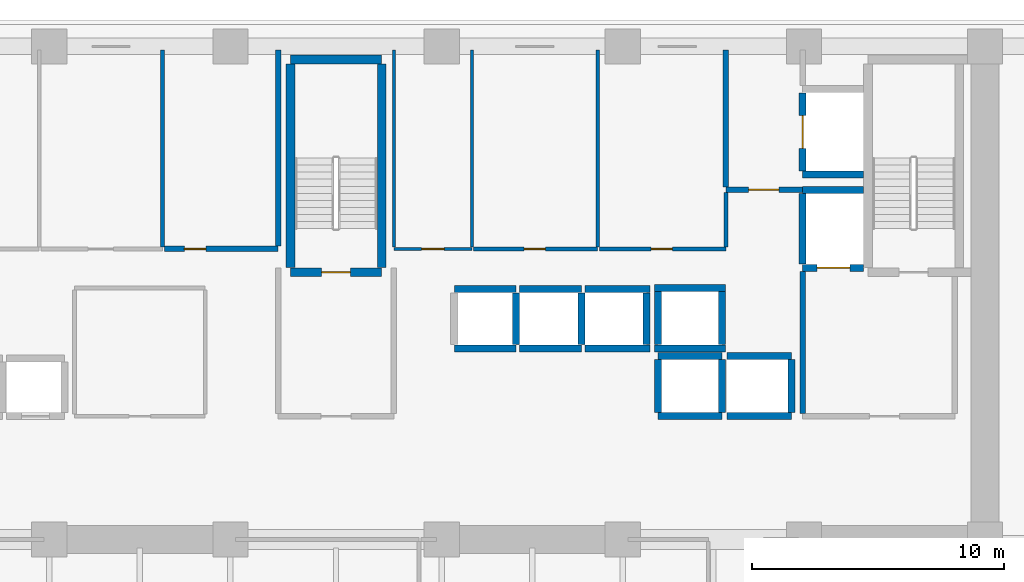
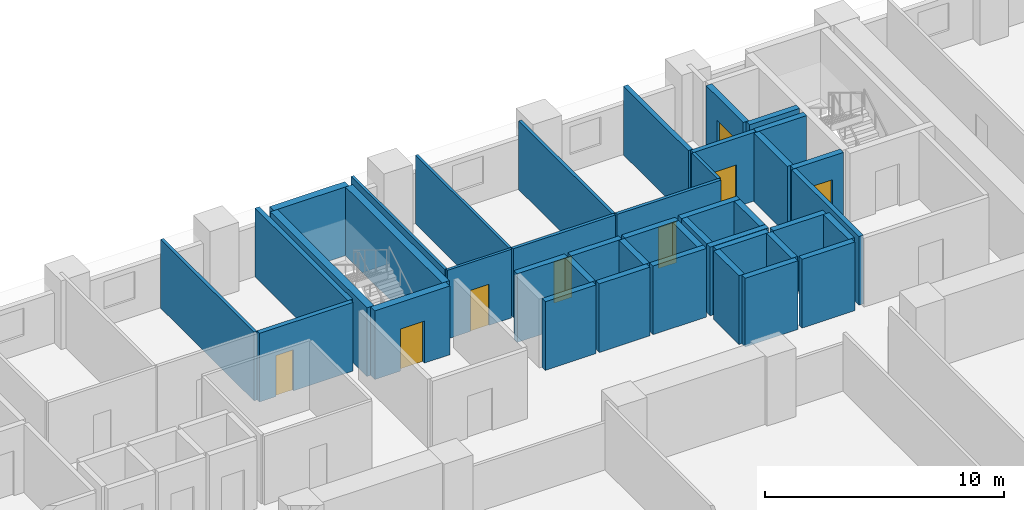
# One storey, part 8 of 15: 42 walls, 8 doors, 8 openings.
"""IFC4 building model written with IfcOpenShell, lengths in metres."""

import ifcopenshell
import ifcopenshell.guid

model = None  # the IFC model being written
_history = None  # IfcOwnerHistory: only IFC2X3 demands one
_inside = {}  # id of a spatial element -> (the spatial element, [elements in it])
_under = {}  # id of a project, library or spatial element -> (it, [spatial elements below it])
_declared = {}  # id of a project -> (the project, [libraries it declares])
_typed = {}  # id of a type object -> (the type object, [elements of that type])
_made_of = {}  # id of a material, layer set ... -> (it, [elements and type objects made of it])


def new_model(schema):
    """Start an empty IFC model of exactly this schema.

    Asked for "IFC4X3", IfcOpenShell would pick the latest addendum, in which some entities
    have other attributes; the version numbers below select the first issue.
    IFC2X3 requires an IfcOwnerHistory on every rooted entity: one is made here for all.
    """
    global model, _history
    if schema == "IFC4X3":
        model = ifcopenshell.file(schema_version=(4, 3, 0, 0))
    else:
        model = ifcopenshell.file(schema=schema)
    _inside.clear()
    _under.clear()
    _declared.clear()
    _typed.clear()
    _made_of.clear()
    _history = None
    if model.schema == "IFC2X3":
        org = make("IfcOrganization", Name="unknown")
        user = make(
            "IfcPersonAndOrganization",
            ThePerson=make("IfcPerson", FamilyName="unknown"),
            TheOrganization=org,
        )
        app = make(
            "IfcApplication",
            ApplicationDeveloper=org,
            Version="unknown",
            ApplicationFullName="unknown",
            ApplicationIdentifier="unknown",
        )
        _history = make(
            "IfcOwnerHistory",
            OwningUser=user,
            OwningApplication=app,
            ChangeAction="ADDED",
            CreationDate=0,
        )
    return model


def make(cls, **values):
    """One entity of the class cls with the attributes given. An attribute that is None is left unset."""
    return model.create_entity(
        cls, **{name: value for name, value in values.items() if value is not None}
    )


def rooted(cls, **values):
    """An entity with a GlobalId (a new one), such as an element, a storey or a relation."""
    return make(cls, GlobalId=ifcopenshell.guid.new(), OwnerHistory=_history, **values)


def si_unit(unit_type, name, prefix=None):
    """IfcSIUnit, for example si_unit("LENGTHUNIT", "METRE", prefix="MILLI")."""
    return make("IfcSIUnit", UnitType=unit_type, Prefix=prefix, Name=name)


def assignment(units):
    """IfcUnitAssignment: the units of a project."""
    return None if units is None else make("IfcUnitAssignment", Units=units)


def point(xyz):
    """IfcCartesianPoint."""
    return None if xyz is None else make("IfcCartesianPoint", Coordinates=xyz)


def direction(xyz):
    """IfcDirection."""
    return None if xyz is None else make("IfcDirection", DirectionRatios=xyz)


def frame(location, z_axis=None, x_axis=None):
    """IfcAxis2Placement3D, a coordinate frame: its origin and axes. An axis left out is left unset."""
    return make(
        "IfcAxis2Placement3D",
        Location=point(location),
        Axis=direction(z_axis),
        RefDirection=direction(x_axis),
    )


def frame_2d(location, x_axis=None):
    """IfcAxis2Placement2D, a coordinate frame in the plane: its origin and x axis."""
    return make(
        "IfcAxis2Placement2D", Location=point(location), RefDirection=direction(x_axis)
    )


def origin():
    """The frame at (0, 0, 0) with its axes left unset."""
    return frame((0.0, 0.0, 0.0))


def place(relative_to, where):
    """IfcLocalPlacement: puts the frame where relative to a parent placement (None: the world)."""
    return make(
        "IfcLocalPlacement", PlacementRelTo=relative_to, RelativePlacement=where
    )


def context(
    kind, dimensions, precision=None, world=None, true_north=None, identifier=None
):
    """IfcGeometricRepresentationContext, for example the 3D "Model" context."""
    return make(
        "IfcGeometricRepresentationContext",
        ContextIdentifier=identifier,
        ContextType=kind,
        CoordinateSpaceDimension=dimensions,
        Precision=precision,
        WorldCoordinateSystem=world,
        TrueNorth=true_north,
    )


def subcontext(parent, identifier, kind, view, scale=None):
    """IfcGeometricRepresentationSubContext, for example "Body" below "Model"."""
    return make(
        "IfcGeometricRepresentationSubContext",
        ContextIdentifier=identifier,
        ContextType=kind,
        ParentContext=parent,
        TargetScale=scale,
        TargetView=view,
    )


def project(units=None, contexts=None):
    """IfcProject with its units and contexts."""
    return rooted(
        "IfcProject",
        Name="project",
        RepresentationContexts=contexts,
        UnitsInContext=assignment(units),
    )


def spatial(cls, under=None, at=None, **own):
    """A site, building, storey or space (cls), placed at a placement, below another one or the project."""
    s = rooted(cls, ObjectPlacement=at, **own)
    if under is not None:
        _under.setdefault(under.id(), (under, []))[1].append(s)
    return s


def profile(cls, at=None, kind="AREA", **sizes):
    """A parametric profile (cls). Its sizes go by their IFC names, for example OverallWidth=200.0."""
    return make(cls, ProfileType=kind, Position=at, **sizes)


def rectangle(**sizes):
    """IfcRectangleProfileDef."""
    return profile("IfcRectangleProfileDef", **sizes)


def extrude(swept, where, along, depth):
    """IfcExtrudedAreaSolid: the profile swept, set in the frame where, extruded along a direction by depth."""
    return make(
        "IfcExtrudedAreaSolid",
        SweptArea=swept,
        Position=where,
        ExtrudedDirection=direction(along),
        Depth=depth,
    )


def shape(context_of_items, identifier, shape_type, items):
    """IfcShapeRepresentation: the items that make up one representation, for example the "Body"."""
    return make(
        "IfcShapeRepresentation",
        ContextOfItems=context_of_items,
        RepresentationIdentifier=identifier,
        RepresentationType=shape_type,
        Items=items,
    )


def material(Name=None, Category=None):
    """IfcMaterial."""
    return make("IfcMaterial", Name=Name, Category=Category)


def layer(
    of_material, thickness, ventilated=None, Name=None, Category=None, Priority=None
):
    """IfcMaterialLayer: one layer of a wall or slab, of a material (None: an air gap)."""
    return make(
        "IfcMaterialLayer",
        Material=of_material,
        LayerThickness=thickness,
        IsVentilated=ventilated,
        Name=Name,
        Category=Category,
        Priority=Priority,
    )


def layer_set(layers, Name=None):
    """IfcMaterialLayerSet."""
    return make("IfcMaterialLayerSet", MaterialLayers=layers, LayerSetName=Name)


def made_of(thing, what):
    """Note that an element or type object is made of a material, layer set ...; save() writes the relation."""
    if what is not None:
        _made_of.setdefault(what.id(), (what, []))[1].append(thing)
    return thing


def type_object(cls, material=None, **own):
    """A type object (cls), such as IfcWallType, which elements share."""
    return made_of(rooted(cls, **own), material)


def element(
    cls,
    number,
    at=None,
    inside=None,
    cuts=None,
    type_object=None,
    material=None,
    context=None,
    identifier="Body",
    shape_type=None,
    held_by="IfcProductDefinitionShape",
    body=None,
    shapes=None,
    **own,
):
    """One element of the class cls, such as IfcWall. Its Tag is "e" and its number.

    at: its placement. inside: the storey or other place that contains it. cuts: it is an
    opening in that element (IfcRelVoidsElement). A single representation is given by context,
    identifier, shape_type and body (its items); several are given by shapes. held_by: the class
    of the entity that holds the representations. save() writes the other relations.
    """
    e = rooted(cls, Tag="e%d" % number, ObjectPlacement=at, **own)
    if body is not None:
        shapes = [shape(context, identifier, shape_type, body)]
    if shapes is not None:
        e.Representation = make(held_by, Representations=shapes)
    if inside is not None:
        _inside.setdefault(inside.id(), (inside, []))[1].append(e)
    if cuts is not None:
        rooted(
            "IfcRelVoidsElement", RelatingBuildingElement=cuts, RelatedOpeningElement=e
        )
    if type_object is not None:
        _typed.setdefault(type_object.id(), (type_object, []))[1].append(e)
    return made_of(e, material)


def fill(opening, filler):
    """IfcRelFillsElement: the door or window that sits in an opening."""
    return rooted(
        "IfcRelFillsElement",
        RelatingOpeningElement=opening,
        RelatedBuildingElement=filler,
    )


def aggregate(whole, parts):
    """IfcRelAggregates: a whole, such as a stair, and the parts it consists of."""
    return rooted("IfcRelAggregates", RelatingObject=whole, RelatedObjects=parts)


def save(model, path):
    """Write the relations noted so far, then the file.

    IfcRelAggregates (storeys below a building ...), IfcRelContainedInSpatialStructure (elements
    in a storey), IfcRelDefinesByType, IfcRelAssociatesMaterial and IfcRelDeclares: one each for
    every whole, place, type object, material and project.
    """
    for whole, parts in _under.values():
        aggregate(whole, parts)
    for where, things in _inside.values():
        rooted(
            "IfcRelContainedInSpatialStructure",
            RelatedElements=things,
            RelatingStructure=where,
        )
    for kind, things in _typed.values():
        rooted("IfcRelDefinesByType", RelatedObjects=things, RelatingType=kind)
    for what, things in _made_of.values():
        rooted("IfcRelAssociatesMaterial", RelatedObjects=things, RelatingMaterial=what)
    for by, libraries in _declared.values():
        rooted("IfcRelDeclares", RelatingContext=by, RelatedDefinitions=libraries)
    model.write(path)


model = new_model("IFC4")

# Units and contexts
model_context = context("Model", 3, precision=1e-05, world=origin(), true_north=direction((0.0, 1.0)))
body_context = subcontext(model_context, "Body", "Model", "MODEL_VIEW")
ifc_project = project(units=[si_unit("LENGTHUNIT", "METRE"), si_unit("AREAUNIT", "SQUARE_METRE"), si_unit("VOLUMEUNIT", "CUBIC_METRE"), si_unit("PLANEANGLEUNIT", "RADIAN"), si_unit("MASSUNIT", "GRAM", prefix="KILO")], contexts=[model_context])

# Site, building, storey
site_placement = place(None, origin())
site = spatial("IfcSite", under=ifc_project, at=site_placement, CompositionType="ELEMENT")
building_placement = place(site_placement, origin())
building = spatial("IfcBuilding", under=site, at=building_placement, Name="Kaelvorn Grand Hotel", CompositionType="ELEMENT")
storey_placement = place(building_placement, frame((0.0, 0.0, 61.39990234375)))
storey = spatial("IfcBuildingStorey", under=building, at=storey_placement, Name="L13", CompositionType="ELEMENT", Elevation=61.39990234375)

# Wall, opening, door
ifc_material_1 = material(Name="Moisture-Resistant Tile & Stud Board")
ifc_layer_1 = layer(ifc_material_1, 0.125)
ifc_layer_set_1 = layer_set([ifc_layer_1], Name="Moisture-Resistant Tile & Stud Board")
wall_type_1 = type_object("IfcWallType", Name="WL-PART-125-WET", PredefinedType="PARTITIONING", material=ifc_layer_set_1)
wall_1_placement = place(storey_placement, frame((44.300048828125, 40.949951171875, 0.0), z_axis=(0.0, 0.0, 1.0), x_axis=(1.0, 0.0, 0.0)))
wall_1 = element("IfcWall", 1, at=wall_1_placement, inside=storey, type_object=wall_type_1, Name="L13 Accessible WC S Partition", PredefinedType="PARTITIONING", context=body_context, shape_type="SweptSolid", body=[
    extrude(rectangle(XDim=3.099853515625, YDim=0.125, at=frame_2d((1.5498046875, 0.0))), origin(), (0.0, 0.0, 1.0), 3.510009765625),
])
opening_1_placement = place(wall_1_placement, frame((1.10009765625, 0.0, 0.0)))
opening_1 = element("IfcOpeningElement", 2, at=opening_1_placement, cuts=wall_1, Name="Opening DI4", PredefinedType="OPENING", context=body_context, shape_type="SweptSolid", body=[
    extrude(rectangle(XDim=0.89990234375, YDim=2.10009765625, at=frame_2d((0.449951171875, 1.050048828125))), frame((0.0, 0.072509765625, 0.0), z_axis=(0.0, -1.0, 0.0), x_axis=(1.0, 0.0, 0.0)), (0.0, 0.0, 1.0), 0.14501953125),
])
ifc_material_2 = material(Name="Timber Veneer Leaf", Category="wood")
door_type_1 = type_object("IfcDoorType", Name="DR-INT-BATH-900x2100", OperationType="NOTDEFINED", PredefinedType="DOOR", material=ifc_material_2)
door_1_placement = place(opening_1_placement, origin())
door_1 = element("IfcDoor", 3, at=door_1_placement, inside=storey, type_object=door_type_1, Name="L13 Accessible WC Door", OperationType="SINGLE_SWING_LEFT", OverallHeight=2.10009765625, OverallWidth=0.89990234375, PredefinedType="DOOR", context=body_context, shape_type="SweptSolid", body=[
    extrude(rectangle(XDim=0.89990234375, YDim=2.10009765625, at=frame_2d((0.449951171875, 1.050048828125))), frame((0.0, 0.02490234375, 0.0), z_axis=(0.0, -1.0, 0.0), x_axis=(1.0, 0.0, 0.0)), (0.0, 0.0, 1.0), 0.050048828125),
])
fill(opening_1, door_1)

# Walls
for number, where, z_axis, x_axis, name in (
    (4, (44.300048828125, 41.017578125, 0.0), (0.0, 0.0, 1.0), (0.0, 1.0, 0.0), "L13 Accessible WC W Partition"),
    (5, (47.39990234375, 41.017578125, 0.0), (0.0, 0.0, 1.0), (0.0, 1.0, 0.0), "L13 Accessible WC E Partition"),
):
    element("IfcWall", number, at=place(storey_placement, frame(where, z_axis=z_axis, x_axis=x_axis)), inside=storey, type_object=wall_type_1, Name=name, PredefinedType="PARTITIONING", context=body_context, shape_type="SweptSolid", body=[
        extrude(rectangle(XDim=7.83251953125, YDim=0.125, at=frame_2d((3.916259765625, 0.0))), origin(), (0.0, 0.0, 1.0), 3.510009765625),
    ])
ifc_material_3 = material(Name="Acoustic Gypsum & Stud Partition")
ifc_layer_2 = layer(ifc_material_3, 0.14990234375)
ifc_layer_set_2 = layer_set([ifc_layer_2], Name="Acoustic Gypsum & Stud Partition")
wall_type_2 = type_object("IfcWallType", Name="WL-PART-150-EI60", PredefinedType="PARTITIONING", material=ifc_layer_set_2)
wall_2_placement = place(storey_placement, frame((35.10009765625, 41.030029296875, 0.0), z_axis=(0.0, 0.0, 1.0), x_axis=(0.0, 1.0, 0.0)))
element("IfcWall", 6, at=wall_2_placement, inside=storey, type_object=wall_type_2, Name="L13 Room Service Servery Pantry E Partition", PredefinedType="PARTITIONING", context=body_context, shape_type="SweptSolid", body=[
    extrude(rectangle(XDim=7.820068359375, YDim=0.14990234375, at=frame_2d((3.91015625, 0.0))), origin(), (0.0, 0.0, 1.0), 3.510009765625),
])

# Wall, opening, door
wall_3_placement = place(storey_placement, frame((47.467529296875, 40.949951171875, 0.0), z_axis=(0.0, 0.0, 1.0), x_axis=(1.0, 0.0, 0.0)))
wall_3 = element("IfcWall", 7, at=wall_3_placement, inside=storey, type_object=wall_type_2, Name="L13 Valet & Luggage Store S Partition", PredefinedType="PARTITIONING", context=body_context, shape_type="SweptSolid", body=[
    extrude(rectangle(XDim=4.932373046875, YDim=0.14990234375, at=frame_2d((2.46630859375, 0.0))), origin(), (0.0, 0.0, 1.0), 3.510009765625),
])
opening_2_placement = place(wall_3_placement, frame((2.007568359375, 0.0, 0.0)))
opening_2 = element("IfcOpeningElement", 8, at=opening_2_placement, cuts=wall_3, Name="Opening DI7", PredefinedType="OPENING", context=body_context, shape_type="SweptSolid", body=[
    extrude(rectangle(XDim=0.85009765625, YDim=2.10009765625, at=frame_2d((0.425048828125, 1.050048828125))), frame((0.0, 0.0849609375, 0.0), z_axis=(0.0, -1.0, 0.0), x_axis=(1.0, 0.0, 0.0)), (0.0, 0.0, 1.0), 0.169921875),
])
ifc_material_4 = material(Name="Powder-Coated Steel Leaf", Category="steel")
door_type_2 = type_object("IfcDoorType", Name="DR-INT-RISER-850x2100", OperationType="NOTDEFINED", PredefinedType="DOOR", material=ifc_material_4)
door_2_placement = place(opening_2_placement, origin())
door_2 = element("IfcDoor", 9, at=door_2_placement, inside=storey, type_object=door_type_2, Name="L13 Valet & Luggage Store Door", OperationType="SINGLE_SWING_RIGHT", OverallHeight=2.10009765625, OverallWidth=0.85009765625, PredefinedType="DOOR", context=body_context, shape_type="SweptSolid", body=[
    extrude(rectangle(XDim=0.85009765625, YDim=2.10009765625, at=frame_2d((0.425048828125, 1.050048828125))), frame((0.0, 0.02490234375, 0.0), z_axis=(0.0, -1.0, 0.0), x_axis=(1.0, 0.0, 0.0)), (0.0, 0.0, 1.0), 0.050048828125),
])
fill(opening_2, door_2)

# Wall
wall_4_placement = place(storey_placement, frame((52.39990234375, 41.030029296875, 0.0), z_axis=(0.0, 0.0, 1.0), x_axis=(0.0, 1.0, 0.0)))
element("IfcWall", 10, at=wall_4_placement, inside=storey, type_object=wall_type_2, Name="L13 Valet & Luggage Store E Partition", PredefinedType="PARTITIONING", context=body_context, shape_type="SweptSolid", body=[
    extrude(rectangle(XDim=7.820068359375, YDim=0.14990234375, at=frame_2d((3.91015625, 0.0))), origin(), (0.0, 0.0, 1.0), 3.510009765625),
])

# Wall, opening, door
wall_5_placement = place(storey_placement, frame((52.47998046875, 40.949951171875, 0.0), z_axis=(0.0, 0.0, 1.0), x_axis=(1.0, 0.0, 0.0)))
wall_5 = element("IfcWall", 11, at=wall_5_placement, inside=storey, type_object=wall_type_2, Name="L13 Clean Utility & Amenity Store S Partition", PredefinedType="PARTITIONING", context=body_context, shape_type="SweptSolid", body=[
    extrude(rectangle(XDim=5.02001953125, YDim=0.14990234375, at=frame_2d((2.510009765625, 0.0))), origin(), (0.0, 0.0, 1.0), 3.510009765625),
])
opening_3_placement = place(wall_5_placement, frame((2.044921875, 0.0, 0.0)))
opening_3 = element("IfcOpeningElement", 12, at=opening_3_placement, cuts=wall_5, Name="Opening DI7", PredefinedType="OPENING", context=body_context, shape_type="SweptSolid", body=[
    extrude(rectangle(XDim=0.85009765625, YDim=2.10009765625, at=frame_2d((0.425048828125, 1.050048828125))), frame((0.0, 0.0849609375, 0.0), z_axis=(0.0, -1.0, 0.0), x_axis=(1.0, 0.0, 0.0)), (0.0, 0.0, 1.0), 0.169921875),
])
door_3_placement = place(opening_3_placement, origin())
door_3 = element("IfcDoor", 13, at=door_3_placement, inside=storey, type_object=door_type_2, Name="L13 Clean Utility & Amenity Store Door", OperationType="SINGLE_SWING_LEFT", OverallHeight=2.10009765625, OverallWidth=0.85009765625, PredefinedType="DOOR", context=body_context, shape_type="SweptSolid", body=[
    extrude(rectangle(XDim=0.85009765625, YDim=2.10009765625, at=frame_2d((0.425048828125, 1.050048828125))), frame((0.0, 0.02490234375, 0.0), z_axis=(0.0, -1.0, 0.0), x_axis=(1.0, 0.0, 0.0)), (0.0, 0.0, 1.0), 0.050048828125),
])
fill(opening_3, door_3)

# Walls
wall_6_placement = place(storey_placement, frame((57.5, 41.030029296875, 0.0), z_axis=(0.0, 0.0, 1.0), x_axis=(0.0, 1.0, 0.0)))
element("IfcWall", 14, at=wall_6_placement, inside=storey, type_object=wall_type_2, Name="L13 Clean Utility & Amenity Store E Partition", PredefinedType="PARTITIONING", context=body_context, shape_type="SweptSolid", body=[
    extrude(rectangle(XDim=2.155029296875, YDim=0.14990234375, at=frame_2d((1.07763671875, 0.0))), origin(), (0.0, 0.0, 1.0), 3.510009765625),
])
ifc_material_5 = material(Name="Concrete C40/50", Category="concrete")
ifc_layer_3 = layer(ifc_material_5, 0.219970703125)
ifc_layer_set_3 = layer_set([ifc_layer_3], Name="Concrete C40/50")
wall_type_3 = type_object("IfcWallType", Name="WL-PART-220-EI120", PredefinedType="PARTITIONING", material=ifc_layer_set_3)
wall_7_placement = place(storey_placement, frame((60.550048828125, 34.4150390625, 0.0), z_axis=(0.0, 0.0, 1.0), x_axis=(0.0, 1.0, 0.0)))
element("IfcWall", 15, at=wall_7_placement, inside=storey, type_object=wall_type_3, Name="L13 Firefighting Lift Lobby 2 W Partition", PredefinedType="PARTITIONING", context=body_context, shape_type="SweptSolid", body=[
    extrude(rectangle(XDim=5.639892578125, YDim=0.219970703125, at=frame_2d((2.81982421875, 0.0))), origin(), (0.0, 0.0, 1.0), 3.510009765625),
])

# Wall, opening, door
wall_8_placement = place(storey_placement, frame((57.5, 43.300048828125, 0.0), z_axis=(0.0, 0.0, 1.0), x_axis=(1.0, 0.0, 0.0)))
wall_8 = element("IfcWall", 16, at=wall_8_placement, inside=storey, type_object=wall_type_3, Name="L13 Service Lift Lobby S Partition", PredefinedType="PARTITIONING", context=body_context, shape_type="SweptSolid", body=[
    extrude(rectangle(XDim=3.0400390625, YDim=0.219970703125, at=frame_2d((1.52001953125, 0.0))), origin(), (0.0, 0.0, 1.0), 3.510009765625),
])
opening_4_placement = place(wall_8_placement, frame((0.89990234375, 0.0, 0.0)))
opening_4 = element("IfcOpeningElement", 17, at=opening_4_placement, cuts=wall_8, Name="Opening DI2", PredefinedType="OPENING", context=body_context, shape_type="SweptSolid", body=[
    extrude(rectangle(XDim=1.199951171875, YDim=2.14990234375, at=frame_2d((0.60009765625, 1.074951171875))), frame((0.0, 0.1201171875, 0.0), z_axis=(0.0, -1.0, 0.0), x_axis=(1.0, 0.0, 0.0)), (0.0, 0.0, 1.0), 0.239990234375),
])
ifc_material_6 = material(Name="Timber Veneer Fire Leaf", Category="wood")
door_type_3 = type_object("IfcDoorType", Name="DR-INT-FFLOB-1200x2150", OperationType="NOTDEFINED", PredefinedType="DOOR", material=ifc_material_6)
door_4_placement = place(opening_4_placement, origin())
door_4 = element("IfcDoor", 18, at=door_4_placement, inside=storey, type_object=door_type_3, Name="L13 Service Lift Lobby Door", OperationType="SINGLE_SWING_RIGHT", OverallHeight=2.14990234375, OverallWidth=1.199951171875, PredefinedType="DOOR", context=body_context, shape_type="SweptSolid", body=[
    extrude(rectangle(XDim=1.199951171875, YDim=2.14990234375, at=frame_2d((0.60009765625, 1.074951171875))), frame((0.0, 0.02490234375, 0.0), z_axis=(0.0, -1.0, 0.0), x_axis=(1.0, 0.0, 0.0)), (0.0, 0.0, 1.0), 0.050048828125),
])
fill(opening_4, door_4)

# Wall
wall_9_placement = place(storey_placement, frame((57.5, 43.4150390625, 0.0), z_axis=(0.0, 0.0, 1.0), x_axis=(0.0, 1.0, 0.0)))
element("IfcWall", 19, at=wall_9_placement, inside=storey, type_object=wall_type_3, Name="L13 Service Lift Lobby W Partition", PredefinedType="PARTITIONING", context=body_context, shape_type="SweptSolid", body=[
    extrude(rectangle(XDim=5.43505859375, YDim=0.219970703125, at=frame_2d((2.717529296875, 0.0))), origin(), (0.0, 0.0, 1.0), 3.510009765625),
])

# Wall, opening, door
wall_10_placement = place(storey_placement, frame((35.179931640625, 40.949951171875, 0.0), z_axis=(0.0, 0.0, 1.0), x_axis=(1.0, 0.0, 0.0)))
wall_10 = element("IfcWall", 20, at=wall_10_placement, inside=storey, type_object=wall_type_3, Name="L13 Floor Electrical Switchroom S Partition", PredefinedType="PARTITIONING", context=body_context, shape_type="SweptSolid", body=[
    extrude(rectangle(XDim=4.52001953125, YDim=0.219970703125, at=frame_2d((2.260009765625, 0.0))), origin(), (0.0, 0.0, 1.0), 3.510009765625),
])
opening_5_placement = place(wall_10_placement, frame((0.794921875, 0.0, 0.0)))
opening_5 = element("IfcOpeningElement", 21, at=opening_5_placement, cuts=wall_10, Name="Opening DI7", PredefinedType="OPENING", context=body_context, shape_type="SweptSolid", body=[
    extrude(rectangle(XDim=0.85009765625, YDim=2.10009765625, at=frame_2d((0.425048828125, 1.050048828125))), frame((0.0, 0.1201171875, 0.0), z_axis=(0.0, -1.0, 0.0), x_axis=(1.0, 0.0, 0.0)), (0.0, 0.0, 1.0), 0.239990234375),
])
door_5_placement = place(opening_5_placement, origin())
door_5 = element("IfcDoor", 22, at=door_5_placement, inside=storey, type_object=door_type_2, Name="L13 Floor Electrical Switchroom Door", OperationType="SINGLE_SWING_RIGHT", OverallHeight=2.10009765625, OverallWidth=0.85009765625, PredefinedType="DOOR", context=body_context, shape_type="SweptSolid", body=[
    extrude(rectangle(XDim=0.85009765625, YDim=2.10009765625, at=frame_2d((0.425048828125, 1.050048828125))), frame((0.0, 0.02490234375, 0.0), z_axis=(0.0, -1.0, 0.0), x_axis=(1.0, 0.0, 0.0)), (0.0, 0.0, 1.0), 0.050048828125),
])
fill(opening_5, door_5)

# Walls
wall_11_placement = place(storey_placement, frame((39.699951171875, 41.06494140625, 0.0), z_axis=(0.0, 0.0, 1.0), x_axis=(0.0, 1.0, 0.0)))
element("IfcWall", 23, at=wall_11_placement, inside=storey, type_object=wall_type_3, Name="L13 Floor Electrical Switchroom E Partition", PredefinedType="PARTITIONING", context=body_context, shape_type="SweptSolid", body=[
    extrude(rectangle(XDim=7.78515625, YDim=0.219970703125, at=frame_2d((3.892578125, 0.0))), origin(), (0.0, 0.0, 1.0), 3.510009765625),
])
ifc_material_7 = material(Name="Concrete C50/60", Category="concrete")
ifc_layer_4 = layer(ifc_material_7, 0.280029296875)
ifc_layer_set_4 = layer_set([ifc_layer_4], Name="Concrete C50/60")
wall_type_4 = type_object("IfcWallType", Name="WL-SHAFT-280-C50", PredefinedType="SHEAR", material=ifc_layer_set_4)
for number, where, z_axis, x_axis, name in (
    (24, (46.699951171875, 37.0, 0.0), (0.0, 0.0, 1.0), (1.0, 0.0, 0.0), "L13 Lift SL-1 Shaft South Wall"),
    (25, (46.699951171875, 39.35009765625, 0.0), (0.0, 0.0, 1.0), (1.0, 0.0, 0.0), "L13 Lift SL-1 Shaft North Wall"),
):
    element("IfcWall", number, at=place(storey_placement, frame(where, z_axis=z_axis, x_axis=x_axis)), inside=storey, type_object=wall_type_4, Name=name, PredefinedType="SHEAR", context=body_context, shape_type="SweptSolid", body=[
        extrude(rectangle(XDim=2.449951171875, YDim=0.280029296875, at=frame_2d((1.22509765625, 0.0))), origin(), (0.0, 0.0, 1.0), 3.510009765625),
    ])
wall_12_placement = place(storey_placement, frame((49.14990234375, 37.14501953125, 0.0), z_axis=(0.0, 0.0, 1.0), x_axis=(0.0, 1.0, 0.0)))
element("IfcWall", 26, at=wall_12_placement, inside=storey, type_object=wall_type_4, Name="L13 Lift SL-1 Shaft East Wall", PredefinedType="SHEAR", context=body_context, shape_type="SweptSolid", body=[
    extrude(rectangle(XDim=2.06005859375, YDim=0.280029296875, at=frame_2d((1.030029296875, 0.0))), origin(), (0.0, 0.0, 1.0), 3.510009765625),
])
for number, where, z_axis, x_axis, name in (
    (27, (49.300048828125, 37.0, 0.0), (0.0, 0.0, 1.0), (1.0, 0.0, 0.0), "L13 Lift SL-2 Shaft South Wall"),
    (28, (49.300048828125, 39.35009765625, 0.0), (0.0, 0.0, 1.0), (1.0, 0.0, 0.0), "L13 Lift SL-2 Shaft North Wall"),
):
    element("IfcWall", number, at=place(storey_placement, frame(where, z_axis=z_axis, x_axis=x_axis)), inside=storey, type_object=wall_type_4, Name=name, PredefinedType="SHEAR", context=body_context, shape_type="SweptSolid", body=[
        extrude(rectangle(XDim=2.449951171875, YDim=0.280029296875, at=frame_2d((1.22509765625, 0.0))), origin(), (0.0, 0.0, 1.0), 3.510009765625),
    ])
wall_13_placement = place(storey_placement, frame((51.75, 37.14501953125, 0.0), z_axis=(0.0, 0.0, 1.0), x_axis=(0.0, 1.0, 0.0)))
element("IfcWall", 29, at=wall_13_placement, inside=storey, type_object=wall_type_4, Name="L13 Lift SL-2 Shaft East Wall", PredefinedType="SHEAR", context=body_context, shape_type="SweptSolid", body=[
    extrude(rectangle(XDim=2.06005859375, YDim=0.280029296875, at=frame_2d((1.030029296875, 0.0))), origin(), (0.0, 0.0, 1.0), 3.510009765625),
])
for number, where, z_axis, x_axis, name in (
    (30, (51.89990234375, 37.0, 0.0), (0.0, 0.0, 1.0), (1.0, 0.0, 0.0), "L13 Lift SL-3 Shaft South Wall"),
    (31, (51.89990234375, 39.35009765625, 0.0), (0.0, 0.0, 1.0), (1.0, 0.0, 0.0), "L13 Lift SL-3 Shaft North Wall"),
):
    element("IfcWall", number, at=place(storey_placement, frame(where, z_axis=z_axis, x_axis=x_axis)), inside=storey, type_object=wall_type_4, Name=name, PredefinedType="SHEAR", context=body_context, shape_type="SweptSolid", body=[
        extrude(rectangle(XDim=2.590087890625, YDim=0.280029296875, at=frame_2d((1.294921875, 0.0))), origin(), (0.0, 0.0, 1.0), 3.510009765625),
    ])
wall_14_placement = place(storey_placement, frame((54.35009765625, 37.14501953125, 0.0), z_axis=(0.0, 0.0, 1.0), x_axis=(0.0, 1.0, 0.0)))
element("IfcWall", 32, at=wall_14_placement, inside=storey, type_object=wall_type_4, Name="L13 Lift SL-3 Shaft East Wall", PredefinedType="SHEAR", context=body_context, shape_type="SweptSolid", body=[
    extrude(rectangle(XDim=2.06005859375, YDim=0.280029296875, at=frame_2d((1.030029296875, 0.0))), origin(), (0.0, 0.0, 1.0), 3.510009765625),
])
for number, where, z_axis, x_axis, name in (
    (33, (54.800048828125, 34.300048828125, 0.0), (0.0, 0.0, 1.0), (1.0, 0.0, 0.0), "L13 Lift OL-1 Shaft South Wall"),
    (34, (54.800048828125, 36.699951171875, 0.0), (0.0, 0.0, 1.0), (1.0, 0.0, 0.0), "L13 Lift OL-1 Shaft North Wall"),
):
    element("IfcWall", number, at=place(storey_placement, frame(where, z_axis=z_axis, x_axis=x_axis)), inside=storey, type_object=wall_type_4, Name=name, PredefinedType="SHEAR", context=body_context, shape_type="SweptSolid", body=[
        extrude(rectangle(XDim=2.550048828125, YDim=0.280029296875, at=frame_2d((1.27490234375, 0.0))), origin(), (0.0, 0.0, 1.0), 3.510009765625),
    ])
for number, where, z_axis, x_axis, name in (
    (35, (54.800048828125, 34.445068359375, 0.0), (0.0, 0.0, 1.0), (0.0, 1.0, 0.0), "L13 Lift OL-1 Shaft West Wall"),
    (36, (57.35009765625, 34.445068359375, 0.0), (0.0, 0.0, 1.0), (0.0, 1.0, 0.0), "L13 Lift OL-1 Shaft East Wall"),
):
    element("IfcWall", number, at=place(storey_placement, frame(where, z_axis=z_axis, x_axis=x_axis)), inside=storey, type_object=wall_type_4, Name=name, PredefinedType="SHEAR", context=body_context, shape_type="SweptSolid", body=[
        extrude(rectangle(XDim=2.10986328125, YDim=0.280029296875, at=frame_2d((1.054931640625, 0.0))), origin(), (0.0, 0.0, 1.0), 3.510009765625),
    ])
for number, where, z_axis, x_axis, name in (
    (37, (57.550048828125, 34.300048828125, 0.0), (0.0, 0.0, 1.0), (1.0, 0.0, 0.0), "L13 Lift OL-2 Shaft South Wall"),
    (38, (57.550048828125, 36.699951171875, 0.0), (0.0, 0.0, 1.0), (1.0, 0.0, 0.0), "L13 Lift OL-2 Shaft North Wall"),
):
    element("IfcWall", number, at=place(storey_placement, frame(where, z_axis=z_axis, x_axis=x_axis)), inside=storey, type_object=wall_type_4, Name=name, PredefinedType="SHEAR", context=body_context, shape_type="SweptSolid", body=[
        extrude(rectangle(XDim=2.550048828125, YDim=0.280029296875, at=frame_2d((1.27490234375, 0.0))), origin(), (0.0, 0.0, 1.0), 3.510009765625),
    ])
wall_15_placement = place(storey_placement, frame((60.10009765625, 34.445068359375, 0.0), z_axis=(0.0, 0.0, 1.0), x_axis=(0.0, 1.0, 0.0)))
element("IfcWall", 39, at=wall_15_placement, inside=storey, type_object=wall_type_4, Name="L13 Lift OL-2 Shaft East Wall", PredefinedType="SHEAR", context=body_context, shape_type="SweptSolid", body=[
    extrude(rectangle(XDim=2.10986328125, YDim=0.280029296875, at=frame_2d((1.054931640625, 0.0))), origin(), (0.0, 0.0, 1.0), 3.510009765625),
])
for number, where, z_axis, x_axis, name in (
    (40, (54.659912109375, 37.0, 0.0), (0.0, 0.0, 1.0), (1.0, 0.0, 0.0), "L13 Lift OL-3 Shaft South Wall"),
    (41, (54.659912109375, 39.39990234375, 0.0), (0.0, 0.0, 1.0), (1.0, 0.0, 0.0), "L13 Lift OL-3 Shaft North Wall"),
):
    element("IfcWall", number, at=place(storey_placement, frame(where, z_axis=z_axis, x_axis=x_axis)), inside=storey, type_object=wall_type_4, Name=name, PredefinedType="SHEAR", context=body_context, shape_type="SweptSolid", body=[
        extrude(rectangle(XDim=2.830078125, YDim=0.280029296875, at=frame_2d((1.4150390625, 0.0))), origin(), (0.0, 0.0, 1.0), 3.510009765625),
    ])
for number, where, z_axis, x_axis, name in (
    (42, (54.800048828125, 37.14501953125, 0.0), (0.0, 0.0, 1.0), (0.0, 1.0, 0.0), "L13 Lift OL-3 Shaft West Wall"),
    (43, (57.35009765625, 37.14501953125, 0.0), (0.0, 0.0, 1.0), (0.0, 1.0, 0.0), "L13 Lift OL-3 Shaft East Wall"),
):
    element("IfcWall", number, at=place(storey_placement, frame(where, z_axis=z_axis, x_axis=x_axis)), inside=storey, type_object=wall_type_4, Name=name, PredefinedType="SHEAR", context=body_context, shape_type="SweptSolid", body=[
        extrude(rectangle(XDim=2.10986328125, YDim=0.280029296875, at=frame_2d((1.054931640625, 0.0))), origin(), (0.0, 0.0, 1.0), 3.510009765625),
    ])

# Wall, opening, door
wall_16_placement = place(storey_placement, frame((60.550048828125, 40.199951171875, 0.0), z_axis=(0.0, 0.0, 1.0), x_axis=(1.0, 0.0, 0.0)))
wall_16 = element("IfcWall", 44, at=wall_16_placement, inside=storey, type_object=wall_type_4, Name="L13 Lift FFL2 Shaft South Wall", PredefinedType="SHEAR", context=body_context, shape_type="SweptSolid", body=[
    extrude(rectangle(XDim=2.4150390625, YDim=0.280029296875, at=frame_2d((1.20751953125, 0.0))), origin(), (0.0, 0.0, 1.0), 3.510009765625),
])
opening_6_placement = place(wall_16_placement, frame((0.574951171875, 0.0, 0.0)))
opening_6 = element("IfcOpeningElement", 45, at=opening_6_placement, cuts=wall_16, Name="Opening LD-FFL2", PredefinedType="OPENING", context=body_context, shape_type="SweptSolid", body=[
    extrude(rectangle(XDim=1.300048828125, YDim=2.300048828125, at=frame_2d((0.64990234375, 1.14990234375))), frame((0.0, 0.14990234375, 0.0), z_axis=(0.0, -1.0, 0.0), x_axis=(1.0, 0.0, 0.0)), (0.0, 0.0, 1.0), 0.300048828125),
])
ifc_material_8 = material(Name="Stainless Steel", Category="steel")
door_type_4 = type_object("IfcDoorType", Name="DR-LIFT-SERV-1300x2300", OperationType="DOUBLE_DOOR_SLIDING", PredefinedType="DOOR", material=ifc_material_8)
door_6_placement = place(opening_6_placement, origin())
door_6 = element("IfcDoor", 46, at=door_6_placement, inside=storey, type_object=door_type_4, Name="L13 Lift FFL2 Sliding Landing Door LD-FFL2", OperationType="DOUBLE_DOOR_SLIDING", OverallHeight=2.300048828125, OverallWidth=1.300048828125, PredefinedType="DOOR", context=body_context, shape_type="SweptSolid", body=[
    extrude(rectangle(XDim=1.300048828125, YDim=2.300048828125, at=frame_2d((0.64990234375, 1.14990234375))), frame((0.0, 0.02490234375, 0.0), z_axis=(0.0, -1.0, 0.0), x_axis=(1.0, 0.0, 0.0)), (0.0, 0.0, 1.0), 0.050048828125),
])
fill(opening_6, door_6)

# Walls
wall_17_placement = place(storey_placement, frame((60.550048828125, 43.300048828125, 0.0), z_axis=(0.0, 0.0, 1.0), x_axis=(1.0, 0.0, 0.0)))
element("IfcWall", 47, at=wall_17_placement, inside=storey, type_object=wall_type_4, Name="L13 Lift FFL2 Shaft North Wall", PredefinedType="SHEAR", context=body_context, shape_type="SweptSolid", body=[
    extrude(rectangle(XDim=2.4150390625, YDim=0.280029296875, at=frame_2d((1.20751953125, 0.0))), origin(), (0.0, 0.0, 1.0), 3.510009765625),
])
wall_18_placement = place(storey_placement, frame((60.550048828125, 40.344970703125, 0.0), z_axis=(0.0, 0.0, 1.0), x_axis=(0.0, 1.0, 0.0)))
element("IfcWall", 48, at=wall_18_placement, inside=storey, type_object=wall_type_4, Name="L13 Lift FFL2 Shaft West Wall", PredefinedType="SHEAR", context=body_context, shape_type="SweptSolid", body=[
    extrude(rectangle(XDim=2.81005859375, YDim=0.280029296875, at=frame_2d((1.405029296875, 0.0))), origin(), (0.0, 0.0, 1.0), 3.510009765625),
])
wall_19_placement = place(storey_placement, frame((60.550048828125, 43.89990234375, 0.0), z_axis=(0.0, 0.0, 1.0), x_axis=(1.0, 0.0, 0.0)))
element("IfcWall", 49, at=wall_19_placement, inside=storey, type_object=wall_type_4, Name="L13 Lift SV1 Shaft South Wall", PredefinedType="SHEAR", context=body_context, shape_type="SweptSolid", body=[
    extrude(rectangle(XDim=2.4150390625, YDim=0.280029296875, at=frame_2d((1.20751953125, 0.0))), origin(), (0.0, 0.0, 1.0), 3.510009765625),
])

# Wall, opening, door
wall_20_placement = place(storey_placement, frame((60.550048828125, 44.044921875, 0.0), z_axis=(0.0, 0.0, 1.0), x_axis=(0.0, 1.0, 0.0)))
wall_20 = element("IfcWall", 50, at=wall_20_placement, inside=storey, type_object=wall_type_4, Name="L13 Lift SV1 Shaft West Wall", PredefinedType="SHEAR", context=body_context, shape_type="SweptSolid", body=[
    extrude(rectangle(XDim=3.110107421875, YDim=0.280029296875, at=frame_2d((1.55517578125, 0.0))), origin(), (0.0, 0.0, 1.0), 3.510009765625),
])
opening_7_placement = place(wall_20_placement, frame((0.905029296875, 0.0, 0.0)))
opening_7 = element("IfcOpeningElement", 51, at=opening_7_placement, cuts=wall_20, Name="Opening LD-SV1", PredefinedType="OPENING", context=body_context, shape_type="SweptSolid", body=[
    extrude(rectangle(XDim=1.300048828125, YDim=2.300048828125, at=frame_2d((0.64990234375, 1.14990234375))), frame((0.0, 0.14990234375, 0.0), z_axis=(0.0, -1.0, 0.0), x_axis=(1.0, 0.0, 0.0)), (0.0, 0.0, 1.0), 0.300048828125),
])
door_7_placement = place(opening_7_placement, origin())
door_7 = element("IfcDoor", 52, at=door_7_placement, inside=storey, type_object=door_type_4, Name="L13 Lift SV1 Sliding Landing Door LD-SV1", OperationType="DOUBLE_DOOR_SLIDING", OverallHeight=2.300048828125, OverallWidth=1.300048828125, PredefinedType="DOOR", context=body_context, shape_type="SweptSolid", body=[
    extrude(rectangle(XDim=1.300048828125, YDim=2.300048828125, at=frame_2d((0.64990234375, 1.14990234375))), frame((0.0, 0.02490234375, 0.0), z_axis=(0.0, -1.0, 0.0), x_axis=(1.0, 0.0, 0.0)), (0.0, 0.0, 1.0), 0.050048828125),
])
fill(opening_7, door_7)

ifc_material_9 = material(Name="Concrete C60/75", Category="concrete")
ifc_layer_5 = layer(ifc_material_9, 0.35009765625)
ifc_layer_set_5 = layer_set([ifc_layer_5], Name="Concrete C60/75")
wall_type_5 = type_object("IfcWallType", Name="WL-SHAFT-350-C60", PredefinedType="SHEAR", material=ifc_layer_set_5)
wall_21_placement = place(storey_placement, frame((40.18505859375, 40.02490234375, 0.0), z_axis=(0.0, 0.0, 1.0), x_axis=(1.0, 0.0, 0.0)))
wall_21 = element("IfcWall", 53, at=wall_21_placement, inside=storey, type_object=wall_type_5, Name="L13 ST2 Stair Shaft South Wall", PredefinedType="SHEAR", context=body_context, shape_type="SweptSolid", body=[
    extrude(rectangle(XDim=3.6298828125, YDim=0.35009765625, at=frame_2d((1.81494140625, 0.0))), origin(), (0.0, 0.0, 1.0), 3.510009765625),
])
opening_8_placement = place(wall_21_placement, frame((1.239990234375, 0.0, 0.0)))
opening_8 = element("IfcOpeningElement", 54, at=opening_8_placement, cuts=wall_21, Name="Opening DI1", PredefinedType="OPENING", context=body_context, shape_type="SweptSolid", body=[
    extrude(rectangle(XDim=1.14990234375, YDim=2.14990234375, at=frame_2d((0.574951171875, 1.074951171875))), frame((0.0, 0.18505859375, 0.0), z_axis=(0.0, -1.0, 0.0), x_axis=(1.0, 0.0, 0.0)), (0.0, 0.0, 1.0), 0.3701171875),
])
door_type_5 = type_object("IfcDoorType", Name="DR-INT-STAIR-1150x2150", OperationType="NOTDEFINED", PredefinedType="DOOR", material=ifc_material_6)
door_8_placement = place(opening_8_placement, origin())
door_8 = element("IfcDoor", 55, at=door_8_placement, inside=storey, type_object=door_type_5, Name="L13 ST2 Exit Stair Fire Door", OperationType="SINGLE_SWING_LEFT", OverallHeight=2.14990234375, OverallWidth=1.14990234375, PredefinedType="DOOR", context=body_context, shape_type="SweptSolid", body=[
    extrude(rectangle(XDim=1.14990234375, YDim=2.14990234375, at=frame_2d((0.574951171875, 1.074951171875))), frame((0.0, 0.02490234375, 0.0), z_axis=(0.0, -1.0, 0.0), x_axis=(1.0, 0.0, 0.0)), (0.0, 0.0, 1.0), 0.050048828125),
])
fill(opening_8, door_8)

# Walls
wall_22_placement = place(storey_placement, frame((40.18505859375, 48.47509765625, 0.0), z_axis=(0.0, 0.0, 1.0), x_axis=(1.0, 0.0, 0.0)))
element("IfcWall", 56, at=wall_22_placement, inside=storey, type_object=wall_type_5, Name="L13 ST2 Stair Shaft North Wall", PredefinedType="SHEAR", context=body_context, shape_type="SweptSolid", body=[
    extrude(rectangle(XDim=3.6298828125, YDim=0.35009765625, at=frame_2d((1.81494140625, 0.0))), origin(), (0.0, 0.0, 1.0), 3.510009765625),
])
for number, where, z_axis, x_axis, name in (
    (57, (40.18505859375, 40.205078125, 0.0), (0.0, 0.0, 1.0), (0.0, 1.0, 0.0), "L13 ST2 Stair Shaft West Wall"),
    (58, (43.81494140625, 40.205078125, 0.0), (0.0, 0.0, 1.0), (0.0, 1.0, 0.0), "L13 ST2 Stair Shaft East Wall"),
):
    element("IfcWall", number, at=place(storey_placement, frame(where, z_axis=z_axis, x_axis=x_axis)), inside=storey, type_object=wall_type_5, Name=name, PredefinedType="SHEAR", context=body_context, shape_type="SweptSolid", body=[
        extrude(rectangle(XDim=8.08984375, YDim=0.35009765625, at=frame_2d((4.044921875, 0.0))), origin(), (0.0, 0.0, 1.0), 3.510009765625),
    ])

save(model, "model.ifc")
